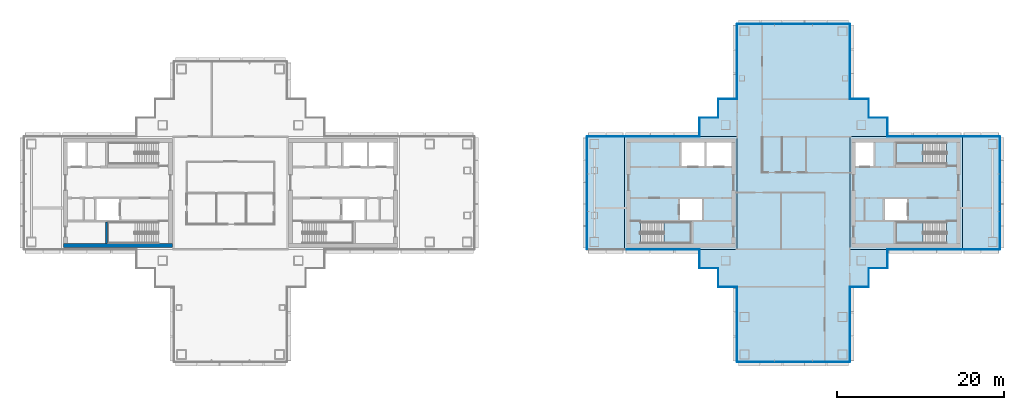
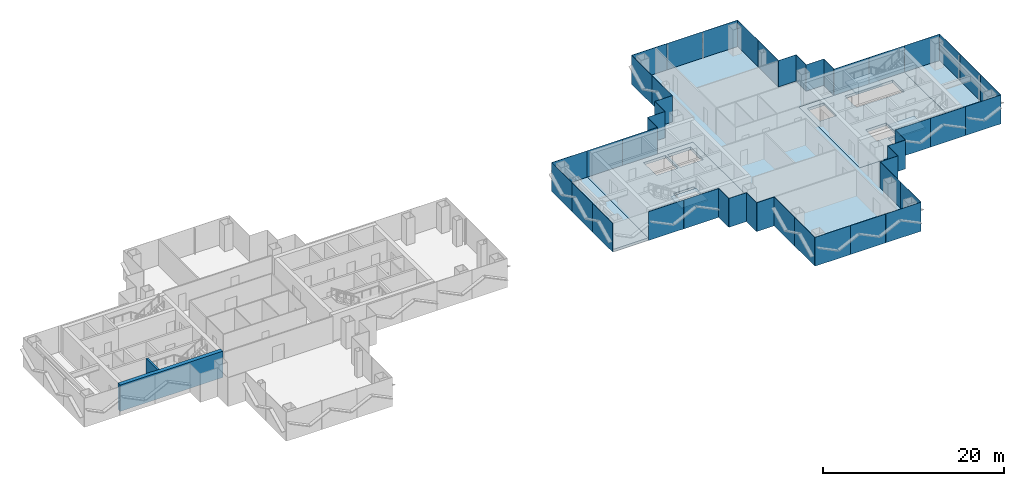
# One storey, part 8 of 16: 47 plates, 8 slabs, 2 walls, 22 elements without a shape of their own.
"""IFC4 building model written with IfcOpenShell, lengths in metres."""

from ifc_helpers import new_model, si_unit, direction, frame, frame_2d, origin, origin_2d, place, context, subcontext, project, spatial, polyline, rectangle, outline, extrude, material, layer, layer_set, type_object, element, aggregate, save


model = new_model("IFC4")

# Units and contexts
model_context = context("Model", 3, precision=1e-05, world=origin(), true_north=direction((0.0, 1.0)))
body_context = subcontext(model_context, "Body", "Model", "MODEL_VIEW")
ifc_project = project(units=[si_unit("LENGTHUNIT", "METRE"), si_unit("AREAUNIT", "SQUARE_METRE"), si_unit("VOLUMEUNIT", "CUBIC_METRE"), si_unit("PLANEANGLEUNIT", "RADIAN"), si_unit("MASSUNIT", "GRAM", prefix="KILO")], contexts=[model_context])

# Site, building, storey
site_placement = place(None, origin())
site = spatial("IfcSite", under=ifc_project, at=site_placement, CompositionType="ELEMENT")
building_placement = place(site_placement, origin())
building = spatial("IfcBuilding", under=site, at=building_placement, Name="Shamsa Quay Exchange Towers", CompositionType="ELEMENT")
storey_placement = place(building_placement, frame((0.0, 0.0, 166.199951171875)))
storey = spatial("IfcBuildingStorey", under=building, at=storey_placement, Name="L39", CompositionType="ELEMENT", Elevation=166.199951171875)

# Slabs
ifc_material_1 = material(Name="Concrete C50/60", Category="concrete")
ifc_layer_1 = layer(ifc_material_1, 0.35009765625)
ifc_layer_set_1 = layer_set([ifc_layer_1], Name="CORE FLOOR 350 C50/60")
slab_type_1 = type_object("IfcSlabType", Name="CORE FLOOR 350 C50/60", PredefinedType="FLOOR", material=ifc_layer_set_1)
slab_1_placement = place(storey_placement, frame((0.0, 0.0, -0.349853515625)))
element("IfcSlab", 1, at=slab_1_placement, inside=storey, type_object=slab_type_1, Name="Core floor T2A", PredefinedType="FLOOR", context=body_context, shape_type="SweptSolid", body=[
    extrude(outline(polyline([(13.5, -6.75), (27.0, -6.75), (27.0, 6.75), (13.5, 6.75), (13.5, -6.75)]), holes=[polyline([(15.400634765625, -6.050048828125), (15.400634765625, -3.5), (21.5, -3.5), (21.5, -6.050048828125), (15.400634765625, -6.050048828125)]), polyline([(20.300048828125, 3.25), (20.300048828125, 6.050048828125), (23.10009765625, 6.050048828125), (23.10009765625, 3.25), (20.300048828125, 3.25)]), polyline([(23.35009765625, 3.25), (23.35009765625, 6.050048828125), (26.300048828125, 6.050048828125), (26.300048828125, 3.25), (23.35009765625, 3.25)]), polyline([(20.14990234375, -3.25), (20.14990234375, -0.75), (22.800048828125, -0.75), (22.800048828125, -3.25), (20.14990234375, -3.25)])]), origin(), (0.0, 0.0, 1.0), 0.349853515625),
])
slab_2_placement = place(storey_placement, frame((0.0, 0.0, -0.349853515625)))
element("IfcSlab", 2, at=slab_2_placement, inside=storey, type_object=slab_type_1, Name="Core floor T2B", PredefinedType="FLOOR", context=body_context, shape_type="SweptSolid", body=[
    extrude(outline(polyline([(54.0, -6.75), (54.0, 6.75), (40.5, 6.75), (40.5, -6.75), (54.0, -6.75)]), holes=[polyline([(52.099365234375, -3.5), (52.099365234375, -6.050048828125), (46.0, -6.050048828125), (46.0, -3.5), (52.099365234375, -3.5)]), polyline([(52.099365234375, 6.050048828125), (52.099365234375, 3.5), (46.0, 3.5), (46.0, 6.050048828125), (52.099365234375, 6.050048828125)]), polyline([(43.35009765625, 3.25), (41.199951171875, 3.25), (41.199951171875, 6.050048828125), (43.35009765625, 6.050048828125), (43.35009765625, 3.25)]), polyline([(47.35009765625, -3.25), (44.699951171875, -3.25), (44.699951171875, -0.75), (47.35009765625, -0.75), (47.35009765625, -3.25)])]), origin(), (0.0, 0.0, 1.0), 0.349853515625),
])

# Stair, slab
ifc_material_2 = material(Name="Concrete C40/50", Category="concrete")
stair_type = type_object("IfcStairType", Name="EXIT STAIR 22 RISERS 177 MM", PredefinedType="HALF_TURN_STAIR", material=ifc_material_2)
stair_1_placement = place(storey_placement, origin())
stair_1 = element("IfcStair", 3, at=stair_1_placement, inside=storey, type_object=stair_type, Name="L39 Exit stair ST4", PredefinedType="HALF_TURN_STAIR")
ifc_layer_2 = layer(ifc_material_2, 0.199951171875)
ifc_layer_set_2 = layer_set([ifc_layer_2], Name="CORE STAIR LANDING")
slab_type_2 = type_object("IfcSlabType", Name="CORE STAIR LANDING", PredefinedType="LANDING", material=ifc_layer_set_2)
slab_3_placement = place(storey_placement, frame((0.0, 0.0, 1.75)))
slab_3 = element("IfcSlab", 4, at=slab_3_placement, type_object=slab_type_2, Name="ST4 landing 1", PredefinedType="LANDING", context=body_context, shape_type="SweptSolid", body=[
    extrude(outline(polyline([(18.199951171875, -6.050048828125), (21.5, -6.050048828125), (21.5, -3.5), (18.199951171875, -3.5), (18.199951171875, -6.050048828125)])), origin(), (0.0, 0.0, 1.0), 0.199951171875),
])
aggregate(stair_1, [slab_3])

stair_2_placement = place(storey_placement, origin())
stair_2 = element("IfcStair", 5, at=stair_2_placement, inside=storey, type_object=stair_type, Name="L39 Exit stair ST5", PredefinedType="HALF_TURN_STAIR")
slab_4_placement = place(storey_placement, frame((0.0, 0.0, 1.75)))
slab_4 = element("IfcSlab", 6, at=slab_4_placement, type_object=slab_type_2, Name="ST5 landing 1", PredefinedType="LANDING", context=body_context, shape_type="SweptSolid", body=[
    extrude(outline(polyline([(49.300048828125, -3.5), (46.0, -3.5), (46.0, -6.050048828125), (49.300048828125, -6.050048828125), (49.300048828125, -3.5)])), origin(), (0.0, 0.0, 1.0), 0.199951171875),
])
aggregate(stair_2, [slab_4])

stair_3_placement = place(storey_placement, origin())
stair_3 = element("IfcStair", 7, at=stair_3_placement, inside=storey, type_object=stair_type, Name="L39 Exit stair ST6", PredefinedType="HALF_TURN_STAIR")
slab_5_placement = place(storey_placement, frame((0.0, 0.0, 1.75)))
slab_5 = element("IfcSlab", 8, at=slab_5_placement, type_object=slab_type_2, Name="ST6 landing 1", PredefinedType="LANDING", context=body_context, shape_type="SweptSolid", body=[
    extrude(outline(polyline([(49.300048828125, 6.050048828125), (46.0, 6.050048828125), (46.0, 3.5), (49.300048828125, 3.5), (49.300048828125, 6.050048828125)])), origin(), (0.0, 0.0, 1.0), 0.199951171875),
])
aggregate(stair_3, [slab_5])

# Curtain wall, plate
ifc_material_3 = material(Name="Aluminium EN AW-6063 T6, black anodised", Category="aluminium")
ifc_layer_3 = layer(ifc_material_3, 0.280029296875)
ifc_layer_set_3 = layer_set([ifc_layer_3], Name="CW-1 UNITISED VISION GLASS")
curtain_wall_type_1 = type_object("IfcCurtainWallType", Name="CW-1 UNITISED VISION GLASS", PredefinedType="NOTDEFINED", material=ifc_layer_set_3)
curtain_wall_1_placement = place(storey_placement, origin())
curtain_wall_1 = element("IfcCurtainWall", 9, at=curtain_wall_1_placement, inside=storey, type_object=curtain_wall_type_1, Name="CW1 T2-FLK-V-W L39", PredefinedType="NOTDEFINED")
ifc_material_4 = material(Name="Glass, laminated, dark tinted", Category="glass")
ifc_layer_4 = layer(ifc_material_4, 0.0400390625)
ifc_layer_set_4 = layer_set([ifc_layer_4], Name="CW-1 VISION GLASS 40")
plate_type_1 = type_object("IfcPlateType", Name="CW-1 VISION GLASS 40", PredefinedType="CURTAIN_PANEL", material=ifc_layer_set_4)
plate_1_placement = place(storey_placement, frame((56.25, -6.77001953125, -0.349853515625)))
plate_1 = element("IfcPlate", 10, at=plate_1_placement, type_object=plate_type_1, Name="CW1 glass panel", PredefinedType="CURTAIN_PANEL", context=body_context, shape_type="SweptSolid", body=[
    extrude(rectangle(XDim=4.5, YDim=0.0400390625, at=origin_2d()), origin(), (0.0, 0.0, 1.0), 3.89990234375),
])
aggregate(curtain_wall_1, [plate_1])

# Curtain wall, plates
curtain_wall_2_placement = place(storey_placement, origin())
curtain_wall_2 = element("IfcCurtainWall", 11, at=curtain_wall_2_placement, inside=storey, type_object=curtain_wall_type_1, Name="CW1 T2-END-V- L39", PredefinedType="NOTDEFINED")
plate_2_placement = place(storey_placement, frame((58.52001953125, -4.50244140625, -0.349853515625), z_axis=(0.0, 0.0, 1.0), x_axis=(0.0, 1.0, 0.0)))
plate_2 = element("IfcPlate", 12, at=plate_2_placement, type_object=plate_type_1, Name="CW1 glass panel", PredefinedType="CURTAIN_PANEL", context=body_context, shape_type="SweptSolid", body=[
    extrude(rectangle(XDim=4.4951171875, YDim=0.0400390625, at=origin_2d()), origin(), (0.0, 0.0, 1.0), 3.89990234375),
])
plate_3_placement = place(storey_placement, frame((58.52001953125, 0.0, -0.349853515625), z_axis=(0.0, 0.0, 1.0), x_axis=(0.0, 1.0, 0.0)))
plate_3 = element("IfcPlate", 13, at=plate_3_placement, type_object=plate_type_1, Name="CW1 glass panel", PredefinedType="CURTAIN_PANEL", context=body_context, shape_type="SweptSolid", body=[
    extrude(rectangle(XDim=4.489990234375, YDim=0.0400390625, at=origin_2d()), origin(), (0.0, 0.0, 1.0), 3.89990234375),
])
plate_4_placement = place(storey_placement, frame((58.52001953125, 4.50244140625, -0.349853515625), z_axis=(0.0, 0.0, 1.0), x_axis=(0.0, 1.0, 0.0)))
plate_4 = element("IfcPlate", 14, at=plate_4_placement, type_object=plate_type_1, Name="CW1 glass panel", PredefinedType="CURTAIN_PANEL", context=body_context, shape_type="SweptSolid", body=[
    extrude(rectangle(XDim=4.4951171875, YDim=0.0400390625, at=origin_2d()), origin(), (0.0, 0.0, 1.0), 3.89990234375),
])
aggregate(curtain_wall_2, [plate_2, plate_3, plate_4])

# Curtain wall, plate
curtain_wall_3_placement = place(storey_placement, origin())
curtain_wall_3 = element("IfcCurtainWall", 15, at=curtain_wall_3_placement, inside=storey, type_object=curtain_wall_type_1, Name="CW1 T2-FLK-V-E L39", PredefinedType="NOTDEFINED")
plate_5_placement = place(storey_placement, frame((56.25, 6.77001953125, -0.349853515625), z_axis=(0.0, 0.0, 1.0), x_axis=(-1.0, 0.0, 0.0)))
plate_5 = element("IfcPlate", 16, at=plate_5_placement, type_object=plate_type_1, Name="CW1 glass panel", PredefinedType="CURTAIN_PANEL", context=body_context, shape_type="SweptSolid", body=[
    extrude(rectangle(XDim=4.5, YDim=0.0400390625, at=origin_2d()), origin(), (0.0, 0.0, 1.0), 3.89990234375),
])
aggregate(curtain_wall_3, [plate_5])

# Curtain wall, plates
curtain_wall_4_placement = place(storey_placement, origin())
curtain_wall_4 = element("IfcCurtainWall", 17, at=curtain_wall_4_placement, inside=storey, type_object=curtain_wall_type_1, Name="CW1 T2-FLK-U+S L39", PredefinedType="NOTDEFINED")
plate_6_placement = place(storey_placement, frame((40.52001953125, 13.52587890625, -0.349853515625), z_axis=(0.0, 0.0, 1.0), x_axis=(0.0, 1.0, 0.0)))
plate_6 = element("IfcPlate", 18, at=plate_6_placement, type_object=plate_type_1, Name="CW1 glass panel", PredefinedType="CURTAIN_PANEL", context=body_context, shape_type="SweptSolid", body=[
    extrude(rectangle(XDim=4.47607421875, YDim=0.0400390625, at=origin_2d()), origin(), (0.0, 0.0, 1.0), 3.89990234375),
])
plate_7_placement = place(storey_placement, frame((40.52001953125, 18.011962890625, -0.349853515625), z_axis=(0.0, 0.0, 1.0), x_axis=(0.0, 1.0, 0.0)))
plate_7 = element("IfcPlate", 19, at=plate_7_placement, type_object=plate_type_1, Name="CW1 glass panel", PredefinedType="CURTAIN_PANEL", context=body_context, shape_type="SweptSolid", body=[
    extrude(rectangle(XDim=4.47607421875, YDim=0.0400390625, at=origin_2d()), origin(), (0.0, 0.0, 1.0), 3.89990234375),
])
aggregate(curtain_wall_4, [plate_6, plate_7])

curtain_wall_5_placement = place(storey_placement, origin())
curtain_wall_5 = element("IfcCurtainWall", 20, at=curtain_wall_5_placement, inside=storey, type_object=curtain_wall_type_1, Name="CW1 T2-END-U+ L39", PredefinedType="NOTDEFINED")
plate_8_placement = place(storey_placement, frame((38.25244140625, 20.27001953125, -0.349853515625), z_axis=(0.0, 0.0, 1.0), x_axis=(-1.0, 0.0, 0.0)))
plate_8 = element("IfcPlate", 21, at=plate_8_placement, type_object=plate_type_1, Name="CW1 glass panel", PredefinedType="CURTAIN_PANEL", context=body_context, shape_type="SweptSolid", body=[
    extrude(rectangle(XDim=4.4951171875, YDim=0.0400390625, at=origin_2d()), origin(), (0.0, 0.0, 1.0), 3.89990234375),
])
plate_9_placement = place(storey_placement, frame((33.75, 20.27001953125, -0.349853515625), z_axis=(0.0, 0.0, 1.0), x_axis=(-1.0, 0.0, 0.0)))
plate_9 = element("IfcPlate", 22, at=plate_9_placement, type_object=plate_type_1, Name="CW1 glass panel", PredefinedType="CURTAIN_PANEL", context=body_context, shape_type="SweptSolid", body=[
    extrude(rectangle(XDim=4.489990234375, YDim=0.0400390625, at=origin_2d()), origin(), (0.0, 0.0, 1.0), 3.89990234375),
])
plate_10_placement = place(storey_placement, frame((29.24755859375, 20.27001953125, -0.349853515625), z_axis=(0.0, 0.0, 1.0), x_axis=(-1.0, 0.0, 0.0)))
plate_10 = element("IfcPlate", 23, at=plate_10_placement, type_object=plate_type_1, Name="CW1 glass panel", PredefinedType="CURTAIN_PANEL", context=body_context, shape_type="SweptSolid", body=[
    extrude(rectangle(XDim=4.4951171875, YDim=0.0400390625, at=origin_2d()), origin(), (0.0, 0.0, 1.0), 3.89990234375),
])
aggregate(curtain_wall_5, [plate_8, plate_9, plate_10])

curtain_wall_6_placement = place(storey_placement, origin())
curtain_wall_6 = element("IfcCurtainWall", 24, at=curtain_wall_6_placement, inside=storey, type_object=curtain_wall_type_1, Name="CW1 T2-FLK-U+N L39", PredefinedType="NOTDEFINED")
plate_11_placement = place(storey_placement, frame((26.97998046875, 18.00244140625, -0.349853515625), z_axis=(0.0, 0.0, 1.0), x_axis=(0.0, -1.0, 0.0)))
plate_11 = element("IfcPlate", 25, at=plate_11_placement, type_object=plate_type_1, Name="CW1 glass panel", PredefinedType="CURTAIN_PANEL", context=body_context, shape_type="SweptSolid", body=[
    extrude(rectangle(XDim=4.4951171875, YDim=0.0400390625, at=origin_2d()), origin(), (0.0, 0.0, 1.0), 3.89990234375),
])
plate_12_placement = place(storey_placement, frame((26.97998046875, 13.49755859375, -0.349853515625), z_axis=(0.0, 0.0, 1.0), x_axis=(0.0, -1.0, 0.0)))
plate_12 = element("IfcPlate", 26, at=plate_12_placement, type_object=plate_type_1, Name="CW1 glass panel", PredefinedType="CURTAIN_PANEL", context=body_context, shape_type="SweptSolid", body=[
    extrude(rectangle(XDim=4.4951171875, YDim=0.0400390625, at=origin_2d()), origin(), (0.0, 0.0, 1.0), 3.89990234375),
])
aggregate(curtain_wall_6, [plate_11, plate_12])

# Curtain wall, plate
curtain_wall_7_placement = place(storey_placement, origin())
curtain_wall_7 = element("IfcCurtainWall", 27, at=curtain_wall_7_placement, inside=storey, type_object=curtain_wall_type_1, Name="CW1 T2-FLK-V+E L39", PredefinedType="NOTDEFINED")
plate_13_placement = place(storey_placement, frame((11.25, 6.77001953125, -0.349853515625), z_axis=(0.0, 0.0, 1.0), x_axis=(-1.0, 0.0, 0.0)))
plate_13 = element("IfcPlate", 28, at=plate_13_placement, type_object=plate_type_1, Name="CW1 glass panel", PredefinedType="CURTAIN_PANEL", context=body_context, shape_type="SweptSolid", body=[
    extrude(rectangle(XDim=4.5, YDim=0.0400390625, at=origin_2d()), origin(), (0.0, 0.0, 1.0), 3.89990234375),
])
aggregate(curtain_wall_7, [plate_13])

# Curtain wall, plates
curtain_wall_8_placement = place(storey_placement, origin())
curtain_wall_8 = element("IfcCurtainWall", 29, at=curtain_wall_8_placement, inside=storey, type_object=curtain_wall_type_1, Name="CW1 T2-END-V+ L39", PredefinedType="NOTDEFINED")
plate_14_placement = place(storey_placement, frame((8.97998046875, 4.50244140625, -0.349853515625), z_axis=(0.0, 0.0, 1.0), x_axis=(0.0, -1.0, 0.0)))
plate_14 = element("IfcPlate", 30, at=plate_14_placement, type_object=plate_type_1, Name="CW1 glass panel", PredefinedType="CURTAIN_PANEL", context=body_context, shape_type="SweptSolid", body=[
    extrude(rectangle(XDim=4.4951171875, YDim=0.0400390625, at=origin_2d()), origin(), (0.0, 0.0, 1.0), 3.89990234375),
])
plate_15_placement = place(storey_placement, frame((8.97998046875, 0.0, -0.349853515625), z_axis=(0.0, 0.0, 1.0), x_axis=(0.0, -1.0, 0.0)))
plate_15 = element("IfcPlate", 31, at=plate_15_placement, type_object=plate_type_1, Name="CW1 glass panel", PredefinedType="CURTAIN_PANEL", context=body_context, shape_type="SweptSolid", body=[
    extrude(rectangle(XDim=4.489990234375, YDim=0.0400390625, at=origin_2d()), origin(), (0.0, 0.0, 1.0), 3.89990234375),
])
plate_16_placement = place(storey_placement, frame((8.97998046875, -4.50244140625, -0.349853515625), z_axis=(0.0, 0.0, 1.0), x_axis=(0.0, -1.0, 0.0)))
plate_16 = element("IfcPlate", 32, at=plate_16_placement, type_object=plate_type_1, Name="CW1 glass panel", PredefinedType="CURTAIN_PANEL", context=body_context, shape_type="SweptSolid", body=[
    extrude(rectangle(XDim=4.4951171875, YDim=0.0400390625, at=origin_2d()), origin(), (0.0, 0.0, 1.0), 3.89990234375),
])
aggregate(curtain_wall_8, [plate_14, plate_15, plate_16])

curtain_wall_9_placement = place(storey_placement, origin())
curtain_wall_9 = element("IfcCurtainWall", 33, at=curtain_wall_9_placement, inside=storey, type_object=curtain_wall_type_1, Name="CW1 T2-FLK-U-N L39", PredefinedType="NOTDEFINED")
plate_17_placement = place(storey_placement, frame((26.97998046875, -13.52587890625, -0.349853515625), z_axis=(0.0, 0.0, 1.0), x_axis=(0.0, -1.0, 0.0)))
plate_17 = element("IfcPlate", 34, at=plate_17_placement, type_object=plate_type_1, Name="CW1 glass panel", PredefinedType="CURTAIN_PANEL", context=body_context, shape_type="SweptSolid", body=[
    extrude(rectangle(XDim=4.47607421875, YDim=0.0400390625, at=origin_2d()), origin(), (0.0, 0.0, 1.0), 3.89990234375),
])
plate_18_placement = place(storey_placement, frame((26.97998046875, -18.011962890625, -0.349853515625), z_axis=(0.0, 0.0, 1.0), x_axis=(0.0, -1.0, 0.0)))
plate_18 = element("IfcPlate", 35, at=plate_18_placement, type_object=plate_type_1, Name="CW1 glass panel", PredefinedType="CURTAIN_PANEL", context=body_context, shape_type="SweptSolid", body=[
    extrude(rectangle(XDim=4.47607421875, YDim=0.0400390625, at=origin_2d()), origin(), (0.0, 0.0, 1.0), 3.89990234375),
])
aggregate(curtain_wall_9, [plate_17, plate_18])

curtain_wall_10_placement = place(storey_placement, origin())
curtain_wall_10 = element("IfcCurtainWall", 36, at=curtain_wall_10_placement, inside=storey, type_object=curtain_wall_type_1, Name="CW1 T2-END-U- L39", PredefinedType="NOTDEFINED")
plate_19_placement = place(storey_placement, frame((29.24755859375, -20.27001953125, -0.349853515625)))
plate_19 = element("IfcPlate", 37, at=plate_19_placement, type_object=plate_type_1, Name="CW1 glass panel", PredefinedType="CURTAIN_PANEL", context=body_context, shape_type="SweptSolid", body=[
    extrude(rectangle(XDim=4.4951171875, YDim=0.0400390625, at=origin_2d()), origin(), (0.0, 0.0, 1.0), 3.89990234375),
])
plate_20_placement = place(storey_placement, frame((33.75, -20.27001953125, -0.349853515625)))
plate_20 = element("IfcPlate", 38, at=plate_20_placement, type_object=plate_type_1, Name="CW1 glass panel", PredefinedType="CURTAIN_PANEL", context=body_context, shape_type="SweptSolid", body=[
    extrude(rectangle(XDim=4.489990234375, YDim=0.0400390625, at=origin_2d()), origin(), (0.0, 0.0, 1.0), 3.89990234375),
])
plate_21_placement = place(storey_placement, frame((38.25244140625, -20.27001953125, -0.349853515625)))
plate_21 = element("IfcPlate", 39, at=plate_21_placement, type_object=plate_type_1, Name="CW1 glass panel", PredefinedType="CURTAIN_PANEL", context=body_context, shape_type="SweptSolid", body=[
    extrude(rectangle(XDim=4.4951171875, YDim=0.0400390625, at=origin_2d()), origin(), (0.0, 0.0, 1.0), 3.89990234375),
])
aggregate(curtain_wall_10, [plate_19, plate_20, plate_21])

curtain_wall_11_placement = place(storey_placement, origin())
curtain_wall_11 = element("IfcCurtainWall", 40, at=curtain_wall_11_placement, inside=storey, type_object=curtain_wall_type_1, Name="CW1 T2-FLK-U-S L39", PredefinedType="NOTDEFINED")
plate_22_placement = place(storey_placement, frame((40.52001953125, -18.00244140625, -0.349853515625), z_axis=(0.0, 0.0, 1.0), x_axis=(0.0, 1.0, 0.0)))
plate_22 = element("IfcPlate", 41, at=plate_22_placement, type_object=plate_type_1, Name="CW1 glass panel", PredefinedType="CURTAIN_PANEL", context=body_context, shape_type="SweptSolid", body=[
    extrude(rectangle(XDim=4.4951171875, YDim=0.0400390625, at=origin_2d()), origin(), (0.0, 0.0, 1.0), 3.89990234375),
])
plate_23_placement = place(storey_placement, frame((40.52001953125, -13.49755859375, -0.349853515625), z_axis=(0.0, 0.0, 1.0), x_axis=(0.0, 1.0, 0.0)))
plate_23 = element("IfcPlate", 42, at=plate_23_placement, type_object=plate_type_1, Name="CW1 glass panel", PredefinedType="CURTAIN_PANEL", context=body_context, shape_type="SweptSolid", body=[
    extrude(rectangle(XDim=4.4951171875, YDim=0.0400390625, at=origin_2d()), origin(), (0.0, 0.0, 1.0), 3.89990234375),
])
aggregate(curtain_wall_11, [plate_22, plate_23])

ifc_layer_5 = layer(ifc_material_3, 0.303955078125)
ifc_layer_set_5 = layer_set([ifc_layer_5], Name="CW-2 UNITISED OPAQUE SPANDREL GLASS")
curtain_wall_type_2 = type_object("IfcCurtainWallType", Name="CW-2 UNITISED OPAQUE SPANDREL GLASS", PredefinedType="NOTDEFINED", material=ifc_layer_set_5)
curtain_wall_12_placement = place(storey_placement, origin())
curtain_wall_12 = element("IfcCurtainWall", 43, at=curtain_wall_12_placement, inside=storey, type_object=curtain_wall_type_2, Name="CW2 T2-FLK-V-W L39", PredefinedType="NOTDEFINED")
ifc_material_5 = material(Name="Glass, laminated, black enamelled opaque", Category="glass")
ifc_layer_6 = layer(ifc_material_5, 0.0439453125)
ifc_layer_set_6 = layer_set([ifc_layer_6], Name="CW-2 SPANDREL GLASS 44")
plate_type_2 = type_object("IfcPlateType", Name="CW-2 SPANDREL GLASS 44", PredefinedType="CURTAIN_PANEL", material=ifc_layer_set_6)
plate_24_placement = place(storey_placement, frame((47.27587890625, -6.77197265625, -0.349853515625)))
plate_24 = element("IfcPlate", 44, at=plate_24_placement, type_object=plate_type_2, Name="CW2 glass panel", PredefinedType="CURTAIN_PANEL", context=body_context, shape_type="SweptSolid", body=[
    extrude(rectangle(XDim=4.47607421875, YDim=0.0439453125, at=origin_2d()), origin(), (0.0, 0.0, 1.0), 3.89990234375),
])
plate_25_placement = place(storey_placement, frame((51.761962890625, -6.77197265625, -0.349853515625)))
plate_25 = element("IfcPlate", 45, at=plate_25_placement, type_object=plate_type_2, Name="CW2 glass panel", PredefinedType="CURTAIN_PANEL", context=body_context, shape_type="SweptSolid", body=[
    extrude(rectangle(XDim=4.47607421875, YDim=0.0439453125, at=origin_2d()), origin(), (0.0, 0.0, 1.0), 3.89990234375),
])
aggregate(curtain_wall_12, [plate_24, plate_25])

curtain_wall_13_placement = place(storey_placement, origin())
curtain_wall_13 = element("IfcCurtainWall", 46, at=curtain_wall_13_placement, inside=storey, type_object=curtain_wall_type_2, Name="CW2 T2-FLK-V-E L39", PredefinedType="NOTDEFINED")
plate_26_placement = place(storey_placement, frame((51.75244140625, 6.77197265625, -0.349853515625), z_axis=(0.0, 0.0, 1.0), x_axis=(-1.0, 0.0, 0.0)))
plate_26 = element("IfcPlate", 47, at=plate_26_placement, type_object=plate_type_2, Name="CW2 glass panel", PredefinedType="CURTAIN_PANEL", context=body_context, shape_type="SweptSolid", body=[
    extrude(rectangle(XDim=4.4951171875, YDim=0.0439453125, at=origin_2d()), origin(), (0.0, 0.0, 1.0), 3.89990234375),
])
plate_27_placement = place(storey_placement, frame((47.24755859375, 6.77197265625, -0.349853515625), z_axis=(0.0, 0.0, 1.0), x_axis=(-1.0, 0.0, 0.0)))
plate_27 = element("IfcPlate", 48, at=plate_27_placement, type_object=plate_type_2, Name="CW2 glass panel", PredefinedType="CURTAIN_PANEL", context=body_context, shape_type="SweptSolid", body=[
    extrude(rectangle(XDim=4.4951171875, YDim=0.0439453125, at=origin_2d()), origin(), (0.0, 0.0, 1.0), 3.89990234375),
])
aggregate(curtain_wall_13, [plate_26, plate_27])

curtain_wall_14_placement = place(storey_placement, origin())
curtain_wall_14 = element("IfcCurtainWall", 49, at=curtain_wall_14_placement, inside=storey, type_object=curtain_wall_type_2, Name="CW2 T2-FLK-V+E L39", PredefinedType="NOTDEFINED")
plate_28_placement = place(storey_placement, frame((20.22412109375, 6.77197265625, -0.349853515625), z_axis=(0.0, 0.0, 1.0), x_axis=(-1.0, 0.0, 0.0)))
plate_28 = element("IfcPlate", 50, at=plate_28_placement, type_object=plate_type_2, Name="CW2 glass panel", PredefinedType="CURTAIN_PANEL", context=body_context, shape_type="SweptSolid", body=[
    extrude(rectangle(XDim=4.47607421875, YDim=0.0439453125, at=origin_2d()), origin(), (0.0, 0.0, 1.0), 3.89990234375),
])
plate_29_placement = place(storey_placement, frame((15.738037109375, 6.77197265625, -0.349853515625), z_axis=(0.0, 0.0, 1.0), x_axis=(-1.0, 0.0, 0.0)))
plate_29 = element("IfcPlate", 51, at=plate_29_placement, type_object=plate_type_2, Name="CW2 glass panel", PredefinedType="CURTAIN_PANEL", context=body_context, shape_type="SweptSolid", body=[
    extrude(rectangle(XDim=4.47607421875, YDim=0.0439453125, at=origin_2d()), origin(), (0.0, 0.0, 1.0), 3.89990234375),
])
aggregate(curtain_wall_14, [plate_28, plate_29])

curtain_wall_15_placement = place(storey_placement, origin())
curtain_wall_15 = element("IfcCurtainWall", 52, at=curtain_wall_15_placement, inside=storey, type_object=curtain_wall_type_2, Name="CW2 T2-FLK-V+W L39", PredefinedType="NOTDEFINED")
plate_30_placement = place(storey_placement, frame((15.74755859375, -6.77197265625, -0.349853515625)))
plate_30 = element("IfcPlate", 53, at=plate_30_placement, type_object=plate_type_2, Name="CW2 glass panel", PredefinedType="CURTAIN_PANEL", context=body_context, shape_type="SweptSolid", body=[
    extrude(rectangle(XDim=4.4951171875, YDim=0.0439453125, at=origin_2d()), origin(), (0.0, 0.0, 1.0), 3.89990234375),
])
plate_31_placement = place(storey_placement, frame((20.25244140625, -6.77197265625, -0.349853515625)))
plate_31 = element("IfcPlate", 54, at=plate_31_placement, type_object=plate_type_2, Name="CW2 glass panel", PredefinedType="CURTAIN_PANEL", context=body_context, shape_type="SweptSolid", body=[
    extrude(rectangle(XDim=4.4951171875, YDim=0.0439453125, at=origin_2d()), origin(), (0.0, 0.0, 1.0), 3.89990234375),
])
aggregate(curtain_wall_15, [plate_30, plate_31])

ifc_layer_7 = layer(ifc_material_3, 0.256103515625)
ifc_layer_set_7 = layer_set([ifc_layer_7], Name="CW-4 POCKET SERRATED GLAZING")
curtain_wall_type_3 = type_object("IfcCurtainWallType", Name="CW-4 POCKET SERRATED GLAZING", PredefinedType="NOTDEFINED", material=ifc_layer_set_7)
curtain_wall_16_placement = place(storey_placement, origin())
curtain_wall_16 = element("IfcCurtainWall", 55, at=curtain_wall_16_placement, inside=storey, type_object=curtain_wall_type_3, Name="CW4 PKWS L39", PredefinedType="NOTDEFINED")
ifc_layer_8 = layer(ifc_material_4, 0.035888671875)
ifc_layer_set_8 = layer_set([ifc_layer_8], Name="CW-4 POCKET GLASS 36")
plate_type_3 = type_object("IfcPlateType", Name="CW-4 POCKET GLASS 36", PredefinedType="CURTAIN_PANEL", material=ifc_layer_set_8)
plate_32_placement = place(storey_placement, frame((43.89404296875, -9.01806640625, -0.349853515625)))
plate_32 = element("IfcPlate", 56, at=plate_32_placement, type_object=plate_type_3, Name="CW4 glass panel", PredefinedType="CURTAIN_PANEL", context=body_context, shape_type="SweptSolid", body=[
    extrude(rectangle(XDim=2.2119140625, YDim=0.035888671875, at=origin_2d()), origin(), (0.0, 0.0, 1.0), 3.89990234375),
])
plate_33_placement = place(storey_placement, frame((45.01806640625, -7.875, -0.349853515625), z_axis=(0.0, 0.0, 1.0), x_axis=(0.0, 1.0, 0.0)))
plate_33 = element("IfcPlate", 57, at=plate_33_placement, type_object=plate_type_3, Name="CW4 glass panel", PredefinedType="CURTAIN_PANEL", context=body_context, shape_type="SweptSolid", body=[
    extrude(rectangle(XDim=2.25, YDim=0.035888671875, at=origin_2d()), origin(), (0.0, 0.0, 1.0), 3.89990234375),
])
plate_34_placement = place(storey_placement, frame((41.64599609375, -11.26806640625, -0.349853515625)))
plate_34 = element("IfcPlate", 58, at=plate_34_placement, type_object=plate_type_3, Name="CW4 glass panel", PredefinedType="CURTAIN_PANEL", context=body_context, shape_type="SweptSolid", body=[
    extrude(rectangle(XDim=2.2080078125, YDim=0.035888671875, at=origin_2d()), origin(), (0.0, 0.0, 1.0), 3.89990234375),
])
plate_35_placement = place(storey_placement, frame((42.76806640625, -10.125, -0.349853515625), z_axis=(0.0, 0.0, 1.0), x_axis=(0.0, 1.0, 0.0)))
plate_35 = element("IfcPlate", 59, at=plate_35_placement, type_object=plate_type_3, Name="CW4 glass panel", PredefinedType="CURTAIN_PANEL", context=body_context, shape_type="SweptSolid", body=[
    extrude(rectangle(XDim=2.25, YDim=0.035888671875, at=origin_2d()), origin(), (0.0, 0.0, 1.0), 3.89990234375),
])
aggregate(curtain_wall_16, [plate_32, plate_33, plate_34, plate_35])

curtain_wall_17_placement = place(storey_placement, origin())
curtain_wall_17 = element("IfcCurtainWall", 60, at=curtain_wall_17_placement, inside=storey, type_object=curtain_wall_type_3, Name="CW4 PKES L39", PredefinedType="NOTDEFINED")
plate_36_placement = place(storey_placement, frame((45.01806640625, 7.89794921875, -0.349853515625), z_axis=(0.0, 0.0, 1.0), x_axis=(0.0, 1.0, 0.0)))
plate_36 = element("IfcPlate", 61, at=plate_36_placement, type_object=plate_type_3, Name="CW4 glass panel", PredefinedType="CURTAIN_PANEL", context=body_context, shape_type="SweptSolid", body=[
    extrude(rectangle(XDim=2.2041015625, YDim=0.035888671875, at=origin_2d()), origin(), (0.0, 0.0, 1.0), 3.89990234375),
])
plate_37_placement = place(storey_placement, frame((43.875, 9.01806640625, -0.349853515625), z_axis=(0.0, 0.0, 1.0), x_axis=(-1.0, 0.0, 0.0)))
plate_37 = element("IfcPlate", 62, at=plate_37_placement, type_object=plate_type_3, Name="CW4 glass panel", PredefinedType="CURTAIN_PANEL", context=body_context, shape_type="SweptSolid", body=[
    extrude(rectangle(XDim=2.25, YDim=0.035888671875, at=origin_2d()), origin(), (0.0, 0.0, 1.0), 3.89990234375),
])
plate_38_placement = place(storey_placement, frame((42.76806640625, 10.14404296875, -0.349853515625), z_axis=(0.0, 0.0, 1.0), x_axis=(0.0, 1.0, 0.0)))
plate_38 = element("IfcPlate", 63, at=plate_38_placement, type_object=plate_type_3, Name="CW4 glass panel", PredefinedType="CURTAIN_PANEL", context=body_context, shape_type="SweptSolid", body=[
    extrude(rectangle(XDim=2.2119140625, YDim=0.035888671875, at=origin_2d()), origin(), (0.0, 0.0, 1.0), 3.89990234375),
])
plate_39_placement = place(storey_placement, frame((41.625, 11.26806640625, -0.349853515625), z_axis=(0.0, 0.0, 1.0), x_axis=(-1.0, 0.0, 0.0)))
plate_39 = element("IfcPlate", 64, at=plate_39_placement, type_object=plate_type_3, Name="CW4 glass panel", PredefinedType="CURTAIN_PANEL", context=body_context, shape_type="SweptSolid", body=[
    extrude(rectangle(XDim=2.25, YDim=0.035888671875, at=origin_2d()), origin(), (0.0, 0.0, 1.0), 3.89990234375),
])
aggregate(curtain_wall_17, [plate_36, plate_37, plate_38, plate_39])

curtain_wall_18_placement = place(storey_placement, origin())
curtain_wall_18 = element("IfcCurtainWall", 65, at=curtain_wall_18_placement, inside=storey, type_object=curtain_wall_type_3, Name="CW4 PKEN L39", PredefinedType="NOTDEFINED")
plate_40_placement = place(storey_placement, frame((25.85400390625, 11.26806640625, -0.349853515625), z_axis=(0.0, 0.0, 1.0), x_axis=(-1.0, 0.0, 0.0)))
plate_40 = element("IfcPlate", 66, at=plate_40_placement, type_object=plate_type_3, Name="CW4 glass panel", PredefinedType="CURTAIN_PANEL", context=body_context, shape_type="SweptSolid", body=[
    extrude(rectangle(XDim=2.2080078125, YDim=0.035888671875, at=origin_2d()), origin(), (0.0, 0.0, 1.0), 3.89990234375),
])
plate_41_placement = place(storey_placement, frame((24.73193359375, 10.125, -0.349853515625), z_axis=(0.0, 0.0, 1.0), x_axis=(0.0, -1.0, 0.0)))
plate_41 = element("IfcPlate", 67, at=plate_41_placement, type_object=plate_type_3, Name="CW4 glass panel", PredefinedType="CURTAIN_PANEL", context=body_context, shape_type="SweptSolid", body=[
    extrude(rectangle(XDim=2.25, YDim=0.035888671875, at=origin_2d()), origin(), (0.0, 0.0, 1.0), 3.89990234375),
])
plate_42_placement = place(storey_placement, frame((23.60595703125, 9.01806640625, -0.349853515625), z_axis=(0.0, 0.0, 1.0), x_axis=(-1.0, 0.0, 0.0)))
plate_42 = element("IfcPlate", 68, at=plate_42_placement, type_object=plate_type_3, Name="CW4 glass panel", PredefinedType="CURTAIN_PANEL", context=body_context, shape_type="SweptSolid", body=[
    extrude(rectangle(XDim=2.2119140625, YDim=0.035888671875, at=origin_2d()), origin(), (0.0, 0.0, 1.0), 3.89990234375),
])
plate_43_placement = place(storey_placement, frame((22.48193359375, 7.875, -0.349853515625), z_axis=(0.0, 0.0, 1.0), x_axis=(0.0, -1.0, 0.0)))
plate_43 = element("IfcPlate", 69, at=plate_43_placement, type_object=plate_type_3, Name="CW4 glass panel", PredefinedType="CURTAIN_PANEL", context=body_context, shape_type="SweptSolid", body=[
    extrude(rectangle(XDim=2.25, YDim=0.035888671875, at=origin_2d()), origin(), (0.0, 0.0, 1.0), 3.89990234375),
])
aggregate(curtain_wall_18, [plate_40, plate_41, plate_42, plate_43])

curtain_wall_19_placement = place(storey_placement, origin())
curtain_wall_19 = element("IfcCurtainWall", 70, at=curtain_wall_19_placement, inside=storey, type_object=curtain_wall_type_3, Name="CW4 PKWN L39", PredefinedType="NOTDEFINED")
plate_44_placement = place(storey_placement, frame((22.48193359375, -7.89794921875, -0.349853515625), z_axis=(0.0, 0.0, 1.0), x_axis=(0.0, -1.0, 0.0)))
plate_44 = element("IfcPlate", 71, at=plate_44_placement, type_object=plate_type_3, Name="CW4 glass panel", PredefinedType="CURTAIN_PANEL", context=body_context, shape_type="SweptSolid", body=[
    extrude(rectangle(XDim=2.2041015625, YDim=0.035888671875, at=origin_2d()), origin(), (0.0, 0.0, 1.0), 3.89990234375),
])
plate_45_placement = place(storey_placement, frame((23.625, -9.01806640625, -0.349853515625)))
plate_45 = element("IfcPlate", 72, at=plate_45_placement, type_object=plate_type_3, Name="CW4 glass panel", PredefinedType="CURTAIN_PANEL", context=body_context, shape_type="SweptSolid", body=[
    extrude(rectangle(XDim=2.25, YDim=0.035888671875, at=origin_2d()), origin(), (0.0, 0.0, 1.0), 3.89990234375),
])
plate_46_placement = place(storey_placement, frame((24.73193359375, -10.14404296875, -0.349853515625), z_axis=(0.0, 0.0, 1.0), x_axis=(0.0, -1.0, 0.0)))
plate_46 = element("IfcPlate", 73, at=plate_46_placement, type_object=plate_type_3, Name="CW4 glass panel", PredefinedType="CURTAIN_PANEL", context=body_context, shape_type="SweptSolid", body=[
    extrude(rectangle(XDim=2.2119140625, YDim=0.035888671875, at=origin_2d()), origin(), (0.0, 0.0, 1.0), 3.89990234375),
])
plate_47_placement = place(storey_placement, frame((25.875, -11.26806640625, -0.349853515625)))
plate_47 = element("IfcPlate", 74, at=plate_47_placement, type_object=plate_type_3, Name="CW4 glass panel", PredefinedType="CURTAIN_PANEL", context=body_context, shape_type="SweptSolid", body=[
    extrude(rectangle(XDim=2.25, YDim=0.035888671875, at=origin_2d()), origin(), (0.0, 0.0, 1.0), 3.89990234375),
])
aggregate(curtain_wall_19, [plate_44, plate_45, plate_46, plate_47])

# Slabs
ifc_layer_9 = layer(ifc_material_2, 0.35009765625)
ifc_layer_set_9 = layer_set([ifc_layer_9], Name="Flat slab 350")
slab_type_3 = type_object("IfcSlabType", Name="Flat slab 350", PredefinedType="FLOOR", material=ifc_layer_set_9)
slab_6_placement = place(storey_placement, frame((0.0, 0.0, -0.349853515625)))
element("IfcSlab", 75, at=slab_6_placement, inside=storey, type_object=slab_type_3, Name="Flat slab T2 L39 4", PredefinedType="FLOOR", context=body_context, shape_type="SweptSolid", body=[
    extrude(outline(polyline([(9.0, -6.75), (13.5, -6.75), (13.5, 6.75), (9.0, 6.75), (9.0, -6.75)])), origin(), (0.0, 0.0, 1.0), 0.349853515625),
])
slab_7_placement = place(storey_placement, frame((0.0, 0.0, -0.349853515625)))
element("IfcSlab", 76, at=slab_7_placement, inside=storey, type_object=slab_type_3, Name="Flat slab T2 L39 5", PredefinedType="FLOOR", context=body_context, shape_type="SweptSolid", body=[
    extrude(outline(polyline([(45.0, -9.0), (45.0, -6.75), (40.5, -6.75), (40.5, 6.75), (45.0, 6.75), (45.0, 9.0), (42.75, 9.0), (42.75, 11.25), (40.5, 11.25), (40.5, 20.25), (27.0, 20.25), (27.0, 11.25), (24.75, 11.25), (24.75, 9.0), (22.5, 9.0), (22.5, 6.75), (27.0, 6.75), (27.0, -6.75), (22.5, -6.75), (22.5, -9.0), (24.75, -9.0), (24.75, -11.25), (27.0, -11.25), (27.0, -20.25), (40.5, -20.25), (40.5, -11.25), (42.75, -11.25), (42.75, -9.0), (45.0, -9.0)])), origin(), (0.0, 0.0, 1.0), 0.349853515625),
])
slab_8_placement = place(storey_placement, frame((0.0, 0.0, -0.349853515625)))
element("IfcSlab", 77, at=slab_8_placement, inside=storey, type_object=slab_type_3, Name="Flat slab T2 L39 6", PredefinedType="FLOOR", context=body_context, shape_type="SweptSolid", body=[
    extrude(outline(polyline([(58.5, 6.75), (54.0, 6.75), (54.0, -6.75), (58.5, -6.75), (58.5, 6.75)])), origin(), (0.0, 0.0, 1.0), 0.349853515625),
])

# Walls
ifc_material_6 = material(Name="Concrete C60/75", Category="concrete")
ifc_layer_10 = layer(ifc_material_6, 0.5)
ifc_layer_set_10 = layer_set([ifc_layer_10], Name="CORE WALL 500 C60/75")
wall_type_1 = type_object("IfcWallType", Name="CORE WALL 500 C60/75", PredefinedType="SHEAR", material=ifc_layer_set_10)
wall_1_placement = place(storey_placement, frame((-40.699951171875, -6.300048828125, 0.0), z_axis=(0.0, 0.0, 1.0), x_axis=(-1.0, 0.0, 0.0)))
element("IfcWall", 78, at=wall_1_placement, inside=storey, type_object=wall_type_1, Name="Core wall T1B-R18-PS", PredefinedType="SHEAR", context=body_context, shape_type="SweptSolid", body=[
    extrude(rectangle(XDim=13.10009765625, YDim=0.5, at=frame_2d((6.550048828125, 0.0))), origin(), (0.0, 0.0, 1.0), 3.550048828125),
])
ifc_layer_11 = layer(ifc_material_1, 0.25)
ifc_layer_set_11 = layer_set([ifc_layer_11], Name="SHAFT WALL 250 C50/60")
wall_type_2 = type_object("IfcWallType", Name="SHAFT WALL 250 C50/60", PredefinedType="SHEAR", material=ifc_layer_set_11)
wall_2_placement = place(storey_placement, frame((-48.625, -6.050048828125, 0.0), z_axis=(0.0, 0.0, 1.0), x_axis=(0.0, 1.0, 0.0)))
element("IfcWall", 79, at=wall_2_placement, inside=storey, type_object=wall_type_2, Name="Shaft wall T1B-R18-STF", PredefinedType="SHEAR", context=body_context, shape_type="SweptSolid", body=[
    extrude(rectangle(XDim=2.550048828125, YDim=0.25, at=frame_2d((1.27490234375, 0.0))), origin(), (0.0, 0.0, 1.0), 3.550048828125),
])

save(model, "model.ifc")
